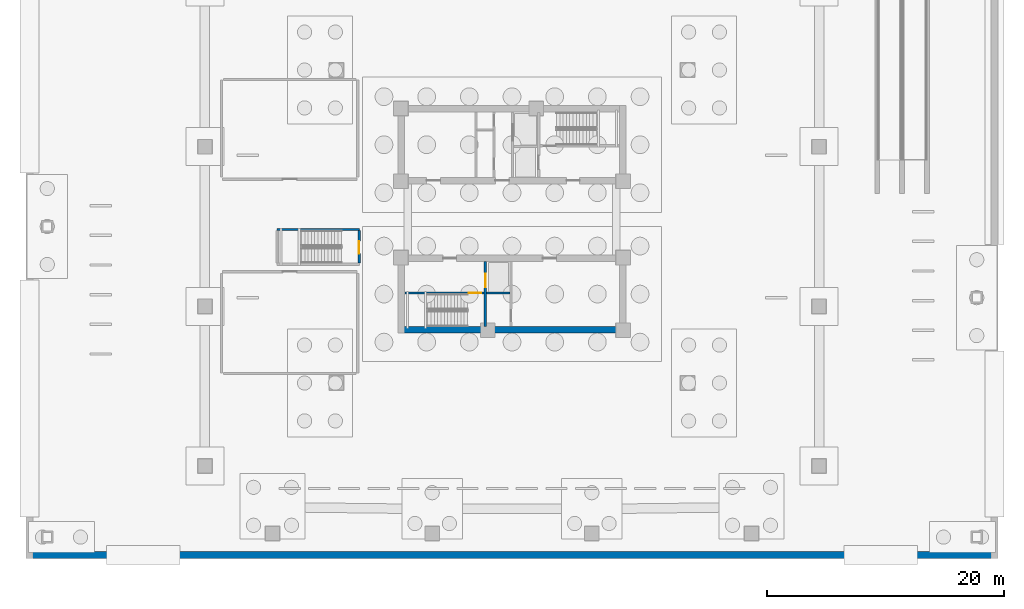
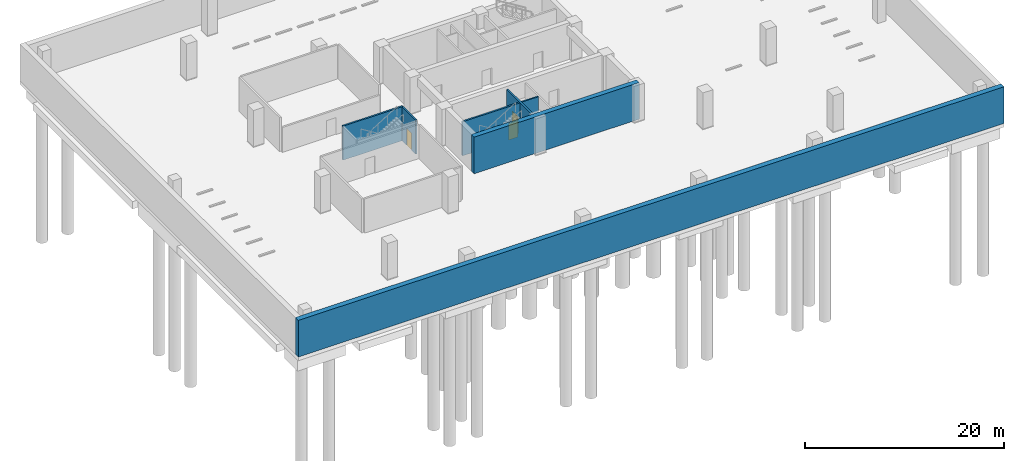
# One storey, part 3 of 8: 7 walls, 3 doors, 3 openings.
"""IFC4 building model written with IfcOpenShell, lengths in metres."""

from ifc_helpers import new_model, si_unit, direction, frame, frame_2d, origin, place, context, subcontext, project, spatial, rectangle, extrude, material, layer, layer_set, type_object, element, fill, save


model = new_model("IFC4")

# Units and contexts
model_context = context("Model", 3, precision=1e-05, world=origin(), true_north=direction((0.0, 1.0)))
body_context = subcontext(model_context, "Body", "Model", "MODEL_VIEW")
ifc_project = project(units=[si_unit("LENGTHUNIT", "METRE"), si_unit("AREAUNIT", "SQUARE_METRE"), si_unit("VOLUMEUNIT", "CUBIC_METRE"), si_unit("PLANEANGLEUNIT", "RADIAN"), si_unit("MASSUNIT", "GRAM", prefix="KILO")], contexts=[model_context])

# Site, building, storey
site_placement = place(None, origin())
site = spatial("IfcSite", under=ifc_project, at=site_placement, CompositionType="ELEMENT")
building_placement = place(site_placement, origin())
building = spatial("IfcBuilding", under=site, at=building_placement, Name="Qhalaya Broadcast Tower", CompositionType="ELEMENT")
storey_placement = place(building_placement, frame((0.0, 0.0, -9.0)))
storey = spatial("IfcBuildingStorey", under=building, at=storey_placement, Name="B02", CompositionType="ELEMENT", Elevation=-9.0)

# Wall
ifc_material_1 = material(Name="Concrete C45/55", Category="concrete")
ifc_layer_1 = layer(ifc_material_1, 0.60009765625, Name="Concrete C45/55")
ifc_layer_set_1 = layer_set([ifc_layer_1], Name="Concrete C45/55")
wall_type_1 = type_object("IfcWallType", Name="Basement Perimeter Retaining Wall 600", PredefinedType="USERDEFINED", material=ifc_layer_set_1)
wall_1_placement = place(storey_placement, frame((-41.0, -27.699951171875, 0.0), z_axis=(0.0, 0.0, 1.0), x_axis=(1.0, 0.0, 0.0)))
element("IfcWall", 1, at=wall_1_placement, inside=storey, type_object=wall_type_1, Name="B02 Basement Retaining Wall RW-S", ObjectType="RETAININGWALL", PredefinedType="USERDEFINED", context=body_context, shape_type="SweptSolid", body=[
    extrude(rectangle(XDim=82.0, YDim=0.60009765625, at=frame_2d((41.0, 0.0))), origin(), (0.0, 0.0, 1.0), 4.5),
])

# Wall, opening, door
ifc_material_2 = material(Name="Concrete C50/60", Category="concrete")
ifc_layer_2 = layer(ifc_material_2, 0.199951171875, Name="Concrete C50/60")
ifc_layer_set_2 = layer_set([ifc_layer_2], Name="Concrete C50/60")
wall_type_2 = type_object("IfcWallType", Name="Load-Bearing Stair Shaft Wall 200", PredefinedType="SHEAR", material=ifc_layer_set_2)
wall_2_placement = place(storey_placement, frame((-9.030029296875, -5.60498046875, 0.0), z_axis=(0.0, 0.0, 1.0), x_axis=(1.0, 0.0, 0.0)))
wall_2 = element("IfcWall", 2, at=wall_2_placement, inside=storey, type_object=wall_type_2, Name="B02 Stair Core Shear Wall SCW-ST2", PredefinedType="SHEAR", context=body_context, shape_type="SweptSolid", body=[
    extrude(rectangle(XDim=6.669921875, YDim=0.199951171875, at=frame_2d((3.3349609375, 0.0))), origin(), (0.0, 0.0, 1.0), 4.179931640625),
])
opening_1_placement = place(wall_2_placement, frame((5.39990234375, 0.0, 0.0)))
opening_1 = element("IfcOpeningElement", 3, at=opening_1_placement, cuts=wall_2, Name="Opening D03", PredefinedType="OPENING", context=body_context, shape_type="SweptSolid", body=[
    extrude(rectangle(XDim=1.050048828125, YDim=2.080078125, at=frame_2d((0.52490234375, 1.0400390625))), frame((0.0, 0.112060546875, 0.0), z_axis=(0.0, -1.0, 0.0), x_axis=(1.0, 0.0, 0.0)), (0.0, 0.0, 1.0), 0.223876953125),
])
ifc_material_3 = material(Name="Fire-Rated Steel Door", Category="steel")
door_type_1 = type_object("IfcDoorType", Name="Core Stair Protected Fire Door D03", OperationType="NOTDEFINED", PredefinedType="DOOR", material=ifc_material_3)
door_1_placement = place(opening_1_placement, origin())
door_1 = element("IfcDoor", 4, at=door_1_placement, inside=storey, type_object=door_type_1, Name="B02 Door D-SST2", OperationType="SINGLE_SWING_RIGHT", OverallHeight=2.080078125, OverallWidth=1.050048828125, PredefinedType="DOOR", context=body_context, shape_type="SweptSolid", body=[
    extrude(rectangle(XDim=1.050048828125, YDim=2.080078125, at=frame_2d((0.52490234375, 1.0400390625))), frame((0.0, 0.02490234375, 0.0), z_axis=(0.0, -1.0, 0.0), x_axis=(1.0, 0.0, 0.0)), (0.0, 0.0, 1.0), 0.050048828125),
])
fill(opening_1, door_1)

wall_3_placement = place(storey_placement, frame((-2.25, -8.429931640625, 0.0), z_axis=(0.0, 0.0, 1.0), x_axis=(0.0, 1.0, 0.0)))
wall_3 = element("IfcWall", 5, at=wall_3_placement, inside=storey, type_object=wall_type_2, Name="B02 Stair Core Shear Wall SCW-FF", PredefinedType="SHEAR", context=body_context, shape_type="SweptSolid", body=[
    extrude(rectangle(XDim=5.4599609375, YDim=0.199951171875, at=frame_2d((2.72998046875, 0.0))), origin(), (0.0, 0.0, 1.0), 4.179931640625),
])
opening_2_placement = place(wall_3_placement, frame((3.300048828125, 0.0, 0.0)))
opening_2 = element("IfcOpeningElement", 6, at=opening_2_placement, cuts=wall_3, Name="Opening LD2", PredefinedType="OPENING", context=body_context, shape_type="SweptSolid", body=[
    extrude(rectangle(XDim=1.14990234375, YDim=2.080078125, at=frame_2d((0.574951171875, 1.0400390625))), frame((0.0, 0.112060546875, 0.0), z_axis=(0.0, -1.0, 0.0), x_axis=(1.0, 0.0, 0.0)), (0.0, 0.0, 1.0), 0.223876953125),
])
ifc_material_4 = material(Name="Brushed Stainless Steel Lift Door", Category="steel")
door_type_2 = type_object("IfcDoorType", Name="Firefighting Lift Sliding Landing Door LD2", OperationType="DOUBLE_DOOR_SLIDING", PredefinedType="DOOR", material=ifc_material_4)
door_2_placement = place(opening_2_placement, origin())
door_2 = element("IfcDoor", 7, at=door_2_placement, inside=storey, type_object=door_type_2, Name="B02 Door LD-FF2", OperationType="DOUBLE_DOOR_SLIDING", OverallHeight=2.080078125, OverallWidth=1.14990234375, PredefinedType="DOOR", context=body_context, shape_type="SweptSolid", body=[
    extrude(rectangle(XDim=1.14990234375, YDim=2.080078125, at=frame_2d((0.574951171875, 1.0400390625))), frame((0.0, 0.02490234375, 0.0), z_axis=(0.0, -1.0, 0.0), x_axis=(1.0, 0.0, 0.0)), (0.0, 0.0, 1.0), 0.050048828125),
])
fill(opening_2, door_2)

# Wall
wall_4_placement = place(storey_placement, frame((-19.830078125, -0.25, 0.0), z_axis=(0.0, 0.0, 1.0), x_axis=(1.0, 0.0, 0.0)))
element("IfcWall", 8, at=wall_4_placement, inside=storey, type_object=wall_type_2, Name="B02 Stair Core Shear Wall W-STP1N", PredefinedType="SHEAR", context=body_context, shape_type="SweptSolid", body=[
    extrude(rectangle(XDim=6.9599609375, YDim=0.199951171875, at=frame_2d((3.47998046875, 0.0))), origin(), (0.0, 0.0, 1.0), 4.179931640625),
])

# Wall, opening, door
wall_5_placement = place(storey_placement, frame((-12.89990234375, -0.340087890625, 0.0), z_axis=(0.0, 0.0, 1.0), x_axis=(0.0, -1.0, 0.0)))
wall_5 = element("IfcWall", 9, at=wall_5_placement, inside=storey, type_object=wall_type_2, Name="B02 Stair Core Shear Wall W-STP1E", PredefinedType="SHEAR", context=body_context, shape_type="SweptSolid", body=[
    extrude(rectangle(XDim=2.739990234375, YDim=0.199951171875, at=frame_2d((1.3701171875, 0.0))), origin(), (0.0, 0.0, 1.0), 4.179931640625),
])
opening_3_placement = place(wall_5_placement, frame((0.89501953125, 0.0, 0.0)))
opening_3 = element("IfcOpeningElement", 10, at=opening_3_placement, cuts=wall_5, Name="Opening D03", PredefinedType="OPENING", context=body_context, shape_type="SweptSolid", body=[
    extrude(rectangle(XDim=1.050048828125, YDim=2.080078125, at=frame_2d((0.52490234375, 1.0400390625))), frame((0.0, 0.112060546875, 0.0), z_axis=(0.0, -1.0, 0.0), x_axis=(1.0, 0.0, 0.0)), (0.0, 0.0, 1.0), 0.223876953125),
])
door_3_placement = place(opening_3_placement, origin())
door_3 = element("IfcDoor", 11, at=door_3_placement, inside=storey, type_object=door_type_1, Name="B02 Door D-STP1", OperationType="SINGLE_SWING_LEFT", OverallHeight=2.080078125, OverallWidth=1.050048828125, PredefinedType="DOOR", context=body_context, shape_type="SweptSolid", body=[
    extrude(rectangle(XDim=1.050048828125, YDim=2.080078125, at=frame_2d((0.52490234375, 1.0400390625))), frame((0.0, 0.02490234375, 0.0), z_axis=(0.0, -1.0, 0.0), x_axis=(1.0, 0.0, 0.0)), (0.0, 0.0, 1.0), 0.050048828125),
])
fill(opening_3, door_3)

# Walls
ifc_material_5 = material(Name="Concrete C60/75", Category="concrete")
ifc_layer_3 = layer(ifc_material_5, 0.550048828125, Name="Concrete C60/75")
ifc_layer_set_3 = layer_set([ifc_layer_3], Name="Concrete C60/75")
wall_type_3 = type_object("IfcWallType", Name="Lower Split-Core Shear Wall 550", PredefinedType="SHEAR", material=ifc_layer_set_3)
wall_6_placement = place(storey_placement, frame((-9.60009765625, -8.72509765625, 0.0), z_axis=(0.0, 0.0, 1.0), x_axis=(1.0, 0.0, 0.0)))
element("IfcWall", 12, at=wall_6_placement, inside=storey, type_object=wall_type_3, Name="B02 Split-Core Shear Wall CW-SS", PredefinedType="SHEAR", context=body_context, shape_type="SweptSolid", body=[
    extrude(rectangle(XDim=19.2001953125, YDim=0.550048828125, at=frame_2d((9.60009765625, 0.0))), origin(), (0.0, 0.0, 1.0), 4.5),
])
ifc_material_6 = material(Name="Gypsum Acoustic Partition")
ifc_layer_4 = layer(ifc_material_6, 0.175048828125, Name="Gypsum Acoustic Partition")
ifc_layer_set_4 = layer_set([ifc_layer_4], Name="Gypsum Acoustic Partition")
wall_type_4 = type_object("IfcWallType", Name="Shaft & Riser Fire Partition 175", PredefinedType="PARTITIONING", material=ifc_layer_set_4)
wall_7_placement = place(storey_placement, frame((-2.14990234375, -5.60009765625, 0.0), z_axis=(0.0, 0.0, 1.0), x_axis=(1.0, 0.0, 0.0)))
element("IfcWall", 13, at=wall_7_placement, inside=storey, type_object=wall_type_4, Name="B02 Partition Wall SCW-FFM", PredefinedType="PARTITIONING", context=body_context, shape_type="SweptSolid", body=[
    extrude(rectangle(XDim=1.969970703125, YDim=0.175048828125, at=frame_2d((0.98486328125, 0.0))), origin(), (0.0, 0.0, 1.0), 4.179931640625),
])

save(model, "model.ifc")
